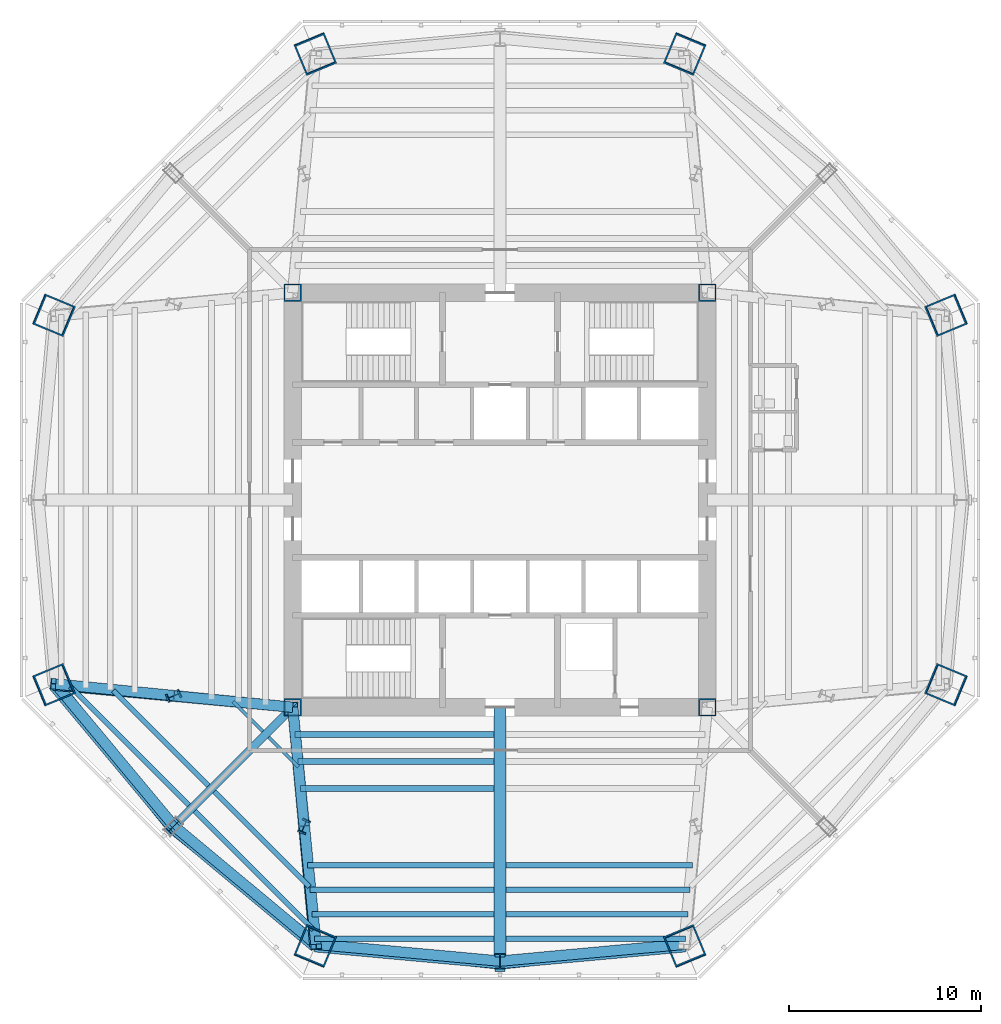
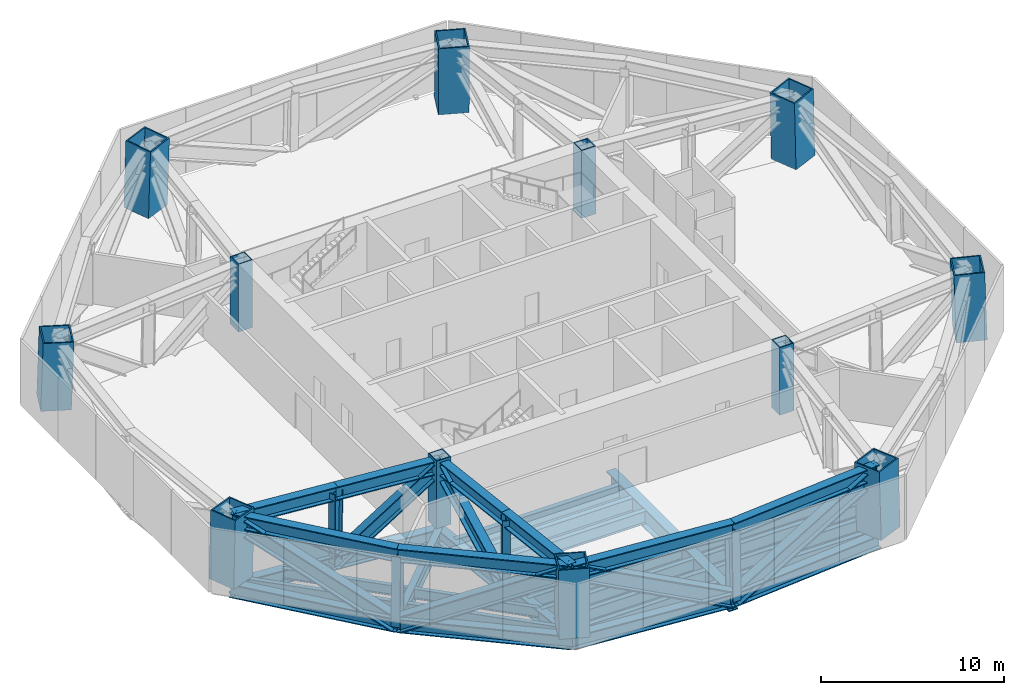
# One storey, part 1 of 10: 28 members, 19 beams, 12 columns.
"""IFC4 building model written with IfcOpenShell, lengths in metres."""

from ifc_helpers import new_model, si_unit, direction, frame, origin, origin_2d, place, context, subcontext, project, spatial, hollow_rectangle, i_section, extrude, source, transform, mapped, material, material_profile, profile_set, type_object, type_shapes, element, save


model = new_model("IFC4")

# Units and contexts
model_context = context("Model", 3, precision=1e-05, world=origin(), true_north=direction((0.0, 1.0)))
body_context = subcontext(model_context, "Body", "Model", "MODEL_VIEW")
ifc_project = project(units=[si_unit("LENGTHUNIT", "METRE"), si_unit("AREAUNIT", "SQUARE_METRE"), si_unit("VOLUMEUNIT", "CUBIC_METRE"), si_unit("PLANEANGLEUNIT", "RADIAN"), si_unit("MASSUNIT", "GRAM", prefix="KILO")], contexts=[model_context])

# Site, building, storey
site_placement = place(None, origin())
site = spatial("IfcSite", under=ifc_project, at=site_placement, CompositionType="ELEMENT")
building_placement = place(site_placement, origin())
building = spatial("IfcBuilding", under=site, at=building_placement, Name="Mashrafa Tower", CompositionType="ELEMENT")
storey_placement = place(building_placement, frame((0.0, 0.0, 108.89990234375)))
storey = spatial("IfcBuildingStorey", under=building, at=storey_placement, Name="L24", CompositionType="ELEMENT", Elevation=108.89990234375)

# Columns
ifc_material_1 = material(Name="Steel ASTM A572 Gr 50", Category="steel")
ifc_material_profile_1 = material_profile(ifc_material_1, hollow_rectangle(XDim=0.89990234375, YDim=0.89990234375, WallThickness=0.06005859375, at=origin_2d()), Name="BOX900X900X60")
ifc_profile_set_1 = profile_set([ifc_material_profile_1], Name="Steel ASTM A572 Gr 50")
column_type_1 = type_object("IfcColumnType", Name="Core corner column BOX900X900X60", PredefinedType="COLUMN", material=ifc_profile_set_1)
for number, where, z_axis, x_axis, name in (
    (1, (10.800048828125, 10.800048828125, 0.0), (0.0, 0.0, 1.0), (1.0, 0.0, 0.0), "Core corner column CC-NE L24"),
    (2, (-10.800048828125, 10.800048828125, 0.0), (0.0, 0.0, 1.0), (1.0, 0.0, 0.0), "Core corner column CC-NW L24"),
    (3, (-10.800048828125, -10.800048828125, 0.0), (0.0, 0.0, 1.0), (1.0, 0.0, 0.0), "Core corner column CC-SW L24"),
    (4, (10.800048828125, -10.800048828125, 0.0), (0.0, 0.0, 1.0), (1.0, 0.0, 0.0), "Core corner column CC-SE L24"),
):
    element("IfcColumn", number, at=place(storey_placement, frame(where, z_axis=z_axis, x_axis=x_axis)), inside=storey, type_object=column_type_1, Name=name, PredefinedType="COLUMN", context=body_context, shape_type="SweptSolid", body=[
        extrude(hollow_rectangle(XDim=0.89990234375, YDim=0.89990234375, WallThickness=0.06005859375, at=origin_2d()), origin(), (0.0, 0.0, 1.0), 4.5),
    ])
ifc_material_2 = material(Name="Steel ASTM A572 Gr 50", Category="steel")
ifc_material_profile_2 = material_profile(ifc_material_2, hollow_rectangle(XDim=1.699951171875, YDim=1.699951171875, WallThickness=0.080078125, at=origin_2d()), Name="BOX1700X1700X80")
ifc_profile_set_2 = profile_set([ifc_material_profile_2], Name="Steel ASTM A572 Gr 50")
column_type_2 = type_object("IfcColumnType", Name="Mega column CFST BOX1700X1700X80", PredefinedType="COLUMN", material=ifc_profile_set_2)
for number, where, z_axis, x_axis, name in (
    (5, (23.255859375, 9.6328125, 0.0), (-0.028252835569, -0.011713267721, 0.999532178893), (0.38297812142, -0.923757413239, 0.0), "Mega column MC1 L24"),
    (6, (9.6328125, 23.255859375, 0.0), (-0.011713267721, -0.028252835569, 0.999532178893), (0.923757413239, -0.38297812142, 0.0), "Mega column MC2 L24"),
    (7, (-9.6328125, 23.255859375, 0.0), (0.011713267721, -0.028252835569, 0.999532178893), (0.923757413239, 0.38297812142, 0.0), "Mega column MC3 L24"),
    (8, (-23.255859375, 9.6328125, 0.0), (0.028252835569, -0.011713267721, 0.999532178893), (0.38297812142, 0.923757413239, 0.0), "Mega column MC4 L24"),
    (9, (-23.255859375, -9.6328125, 0.0), (0.028252835569, 0.011713267721, 0.999532178893), (-0.38297812142, 0.923757413239, 0.0), "Mega column MC5 L24"),
    (10, (-9.6328125, -23.255859375, 0.0), (0.011713267721, 0.028252835569, 0.999532178893), (-0.923757413239, 0.38297812142, 0.0), "Mega column MC6 L24"),
    (11, (9.6328125, -23.255859375, 0.0), (-0.011713267721, 0.028252835569, 0.999532178893), (-0.923757413239, -0.38297812142, 0.0), "Mega column MC7 L24"),
    (12, (23.255859375, -9.6328125, 0.0), (-0.028252835569, 0.011713267721, 0.999532178893), (-0.38297812142, -0.923757413239, 0.0), "Mega column MC8 L24"),
):
    element("IfcColumn", number, at=place(storey_placement, frame(where, z_axis=z_axis, x_axis=x_axis)), inside=storey, type_object=column_type_2, Name=name, PredefinedType="COLUMN", context=body_context, shape_type="SweptSolid", body=[
        extrude(hollow_rectangle(XDim=1.699951171875, YDim=1.699951171875, WallThickness=0.080078125, at=origin_2d()), origin(), (0.0, 0.0, 1.0), 4.502197265625),
    ])

# Beams
ifc_material_3 = material(Name="Steel ASTM A572 Gr 50", Category="steel")
ifc_material_profile_3 = material_profile(ifc_material_3, i_section(OverallWidth=0.60009765625, OverallDepth=1.300048828125, WebThickness=0.028076171875, FlangeThickness=0.06494140625, at=origin_2d()), Name="H1300X600X28X65")
ifc_profile_set_3 = profile_set([ifc_material_profile_3], Name="Steel ASTM A572 Gr 50")
beam_type_1 = type_object("IfcBeamType", Name="Beam H1300X600X28X65", PredefinedType="BEAM", material=ifc_profile_set_3)
beam_1_placement = place(storey_placement, frame((0.0, -10.800048828125, -0.89990234375), z_axis=(0.0, -1.0, 0.0), x_axis=(1.0, 0.0, 0.0)))
element("IfcBeam", 13, at=beam_1_placement, inside=storey, type_object=beam_type_1, Name="Radial girder L24 084", PredefinedType="BEAM", context=body_context, shape_type="SweptSolid", body=[
    extrude(i_section(OverallWidth=0.60009765625, OverallDepth=1.300048828125, WebThickness=0.028076171875, FlangeThickness=0.06494140625, at=origin_2d()), origin(), (0.0, 0.0, 1.0), 13.341064453125),
])
ifc_material_4 = material(Name="Steel ASTM A992", Category="steel")
ifc_material_profile_4 = material_profile(ifc_material_4, i_section(OverallWidth=0.164794921875, OverallDepth=0.309814453125, WebThickness=0.005859375, FlangeThickness=0.009765625, FilletRadius=0.007568359375, at=origin_2d()), Name="W12X26")
ifc_profile_set_4 = profile_set([ifc_material_profile_4], Name="Steel ASTM A992")
beam_type_2 = type_object("IfcBeamType", Name="Beam W12X26", PredefinedType="BEAM", material=ifc_profile_set_4)
for number, where, z_axis, x_axis, name in (
    (14, (-12.35498046875, -12.065673828125, -0.40478515625), (-0.707162242717, 0.707051315306, 0.0), (-0.707051315306, -0.707162242717, 0.0), "Floor beam L24 020"),
    (15, (-10.509521484375, -13.911376953125, -0.40478515625), (-0.707051315306, 0.707162242717, 0.0), (-0.707162242717, -0.707051315306, 0.0), "Floor beam L24 026"),
):
    element("IfcBeam", number, at=place(storey_placement, frame(where, z_axis=z_axis, x_axis=x_axis)), inside=storey, type_object=beam_type_2, Name=name, PredefinedType="BEAM", context=body_context, shape_type="SweptSolid", body=[
        extrude(i_section(OverallWidth=0.164794921875, OverallDepth=0.309814453125, WebThickness=0.005859375, FlangeThickness=0.009765625, FilletRadius=0.007568359375, at=origin_2d()), origin(), (0.0, 0.0, 1.0), 2.200927734375),
    ])
ifc_material_5 = material(Name="Steel ASTM A992", Category="steel")
ifc_material_profile_5 = material_profile(ifc_material_5, i_section(OverallWidth=0.25390625, OverallDepth=0.67822265625, WebThickness=0.01171875, FlangeThickness=0.016357421875, FilletRadius=0.01513671875, at=origin_2d()), Name="W27X84")
ifc_profile_set_5 = profile_set([ifc_material_profile_5], Name="Steel ASTM A992")
beam_type_3 = type_object("IfcBeamType", Name="Beam W27X84", PredefinedType="BEAM", material=ifc_profile_set_5)
for number, where, z_axis, x_axis, name in (
    (16, (-15.183349609375, -14.89404296875, -0.589111328125), (-0.707106781187, 0.707106781187, 0.0), (-0.707106781187, -0.707106781187, 0.0), "Floor beam L24 013"),
    (17, (-9.926513671875, -20.15087890625, -0.589111328125), (-0.707106781187, 0.707106781187, 0.0), (-0.707106781187, -0.707106781187, 0.0), "Floor beam L24 029"),
):
    element("IfcBeam", number, at=place(storey_placement, frame(where, z_axis=z_axis, x_axis=x_axis)), inside=storey, type_object=beam_type_3, Name=name, PredefinedType="BEAM", context=body_context, shape_type="SweptSolid", body=[
        extrude(i_section(OverallWidth=0.25390625, OverallDepth=0.67822265625, WebThickness=0.01171875, FlangeThickness=0.016357421875, FilletRadius=0.01513671875, at=origin_2d()), origin(), (0.0, 0.0, 1.0), 7.025146484375),
    ])
ifc_material_6 = material(Name="Steel ASTM A992", Category="steel")
ifc_material_profile_6 = material_profile(ifc_material_6, i_section(OverallWidth=0.2666015625, OverallDepth=0.761962890625, WebThickness=0.014404296875, FlangeThickness=0.021484375, FilletRadius=0.0166015625, at=origin_2d()), Name="W30X116")
ifc_profile_set_6 = profile_set([ifc_material_profile_6], Name="Steel ASTM A992")
beam_type_4 = type_object("IfcBeamType", Name="Beam W30X116", PredefinedType="BEAM", material=ifc_profile_set_6)
for number, where, z_axis, x_axis, name in (
    (18, (-16.19921875, -15.909912109375, -0.630859375), (-0.707120719406, 0.707092842692, 0.0), (-0.707092842692, -0.707120719406, 0.0), "Floor beam L24 011"),
    (19, (-9.71728515625, -22.39208984375, -0.630859375), (-0.707092842692, 0.707120719406, 0.0), (-0.707120719406, -0.707092842692, 0.0), "Floor beam L24 032"),
):
    element("IfcBeam", number, at=place(storey_placement, frame(where, z_axis=z_axis, x_axis=x_axis)), inside=storey, type_object=beam_type_4, Name=name, PredefinedType="BEAM", context=body_context, shape_type="SweptSolid", body=[
        extrude(i_section(OverallWidth=0.2666015625, OverallDepth=0.761962890625, WebThickness=0.014404296875, FlangeThickness=0.021484375, FilletRadius=0.0166015625, at=origin_2d()), origin(), (0.0, 0.0, 1.0), 8.7578125),
    ])
ifc_material_7 = material(Name="Steel ASTM A992", Category="steel")
ifc_material_profile_7 = material_profile(ifc_material_7, i_section(OverallWidth=0.2919921875, OverallDepth=0.8408203125, WebThickness=0.0146484375, FlangeThickness=0.021728515625, FilletRadius=0.017333984375, at=origin_2d()), Name="W33X130")
ifc_profile_set_7 = profile_set([ifc_material_profile_7], Name="Steel ASTM A992")
beam_type_5 = type_object("IfcBeamType", Name="Beam W33X130", PredefinedType="BEAM", material=ifc_profile_set_7)
beam_2_placement = place(storey_placement, frame((-0.300048828125, -22.863525390625, -0.670166015625), z_axis=(-1.0, 0.0, 0.0), x_axis=(0.0, -1.0, 0.0)))
element("IfcBeam", 20, at=beam_2_placement, inside=storey, type_object=beam_type_5, Name="Floor beam L24 034", PredefinedType="BEAM", context=body_context, shape_type="SweptSolid", body=[
    extrude(i_section(OverallWidth=0.2919921875, OverallDepth=0.8408203125, WebThickness=0.0146484375, FlangeThickness=0.021728515625, FilletRadius=0.017333984375, at=origin_2d()), origin(), (0.0, 0.0, 1.0), 9.373046875),
])
beam_3_placement = place(storey_placement, frame((-0.300048828125, -21.586181640625, -0.670166015625), z_axis=(-1.0, 0.0, 0.0), x_axis=(0.0, -1.0, 0.0)))
element("IfcBeam", 21, at=beam_3_placement, inside=storey, type_object=beam_type_5, Name="Floor beam L24 035", PredefinedType="BEAM", context=body_context, shape_type="SweptSolid", body=[
    extrude(i_section(OverallWidth=0.2919921875, OverallDepth=0.8408203125, WebThickness=0.0146484375, FlangeThickness=0.021728515625, FilletRadius=0.017333984375, at=origin_2d()), origin(), (0.0, 0.0, 1.0), 9.492431640625),
])
beam_4_placement = place(storey_placement, frame((-0.300048828125, -20.30859375, -0.670166015625), z_axis=(-1.0, 0.0, 0.0), x_axis=(0.0, -1.0, 0.0)))
element("IfcBeam", 22, at=beam_4_placement, inside=storey, type_object=beam_type_5, Name="Floor beam L24 036", PredefinedType="BEAM", context=body_context, shape_type="SweptSolid", body=[
    extrude(i_section(OverallWidth=0.2919921875, OverallDepth=0.8408203125, WebThickness=0.0146484375, FlangeThickness=0.021728515625, FilletRadius=0.017333984375, at=origin_2d()), origin(), (0.0, 0.0, 1.0), 9.61181640625),
])
beam_5_placement = place(storey_placement, frame((9.673095703125, -22.863525390625, -0.670166015625), z_axis=(-1.0, 0.0, 0.0), x_axis=(0.0, -1.0, 0.0)))
element("IfcBeam", 23, at=beam_5_placement, inside=storey, type_object=beam_type_5, Name="Floor beam L24 048", PredefinedType="BEAM", context=body_context, shape_type="SweptSolid", body=[
    extrude(i_section(OverallWidth=0.2919921875, OverallDepth=0.8408203125, WebThickness=0.0146484375, FlangeThickness=0.021728515625, FilletRadius=0.017333984375, at=origin_2d()), origin(), (0.0, 0.0, 1.0), 9.373046875),
])
beam_6_placement = place(storey_placement, frame((9.79248046875, -21.586181640625, -0.670166015625), z_axis=(-1.0, 0.0, 0.0), x_axis=(0.0, -1.0, 0.0)))
element("IfcBeam", 24, at=beam_6_placement, inside=storey, type_object=beam_type_5, Name="Floor beam L24 050", PredefinedType="BEAM", context=body_context, shape_type="SweptSolid", body=[
    extrude(i_section(OverallWidth=0.2919921875, OverallDepth=0.8408203125, WebThickness=0.0146484375, FlangeThickness=0.021728515625, FilletRadius=0.017333984375, at=origin_2d()), origin(), (0.0, 0.0, 1.0), 9.492431640625),
])
beam_7_placement = place(storey_placement, frame((9.911865234375, -20.30859375, -0.670166015625), z_axis=(-1.0, 0.0, 0.0), x_axis=(0.0, -1.0, 0.0)))
element("IfcBeam", 25, at=beam_7_placement, inside=storey, type_object=beam_type_5, Name="Floor beam L24 051", PredefinedType="BEAM", context=body_context, shape_type="SweptSolid", body=[
    extrude(i_section(OverallWidth=0.2919921875, OverallDepth=0.8408203125, WebThickness=0.0146484375, FlangeThickness=0.021728515625, FilletRadius=0.017333984375, at=origin_2d()), origin(), (0.0, 0.0, 1.0), 9.61181640625),
])
ifc_material_8 = material(Name="Steel ASTM A992", Category="steel")
ifc_material_profile_8 = material_profile(ifc_material_8, i_section(OverallWidth=0.2919921875, OverallDepth=0.845703125, WebThickness=0.015380859375, FlangeThickness=0.0244140625, FilletRadius=0.017333984375, at=origin_2d()), Name="W33X141")
ifc_profile_set_8 = profile_set([ifc_material_profile_8], Name="Steel ASTM A992")
beam_type_6 = type_object("IfcBeamType", Name="Beam W33X141", PredefinedType="BEAM", material=ifc_profile_set_8)
beam_8_placement = place(storey_placement, frame((-0.300048828125, -19.031005859375, -0.6728515625), z_axis=(-1.0, 0.0, 0.0), x_axis=(0.0, -1.0, 0.0)))
element("IfcBeam", 26, at=beam_8_placement, inside=storey, type_object=beam_type_6, Name="Floor beam L24 037", PredefinedType="BEAM", context=body_context, shape_type="SweptSolid", body=[
    extrude(i_section(OverallWidth=0.2919921875, OverallDepth=0.845703125, WebThickness=0.015380859375, FlangeThickness=0.0244140625, FilletRadius=0.017333984375, at=origin_2d()), origin(), (0.0, 0.0, 1.0), 9.73095703125),
])
beam_9_placement = place(storey_placement, frame((-0.300048828125, -15.031005859375, -0.6728515625), z_axis=(-1.0, 0.0, 0.0), x_axis=(0.0, -1.0, 0.0)))
element("IfcBeam", 27, at=beam_9_placement, inside=storey, type_object=beam_type_6, Name="Floor beam L24 038", PredefinedType="BEAM", context=body_context, shape_type="SweptSolid", body=[
    extrude(i_section(OverallWidth=0.2919921875, OverallDepth=0.845703125, WebThickness=0.015380859375, FlangeThickness=0.0244140625, FilletRadius=0.017333984375, at=origin_2d()), origin(), (0.0, 0.0, 1.0), 10.104736328125),
])
beam_10_placement = place(storey_placement, frame((10.031005859375, -19.031005859375, -0.6728515625), z_axis=(-1.0, 0.0, 0.0), x_axis=(0.0, -1.0, 0.0)))
element("IfcBeam", 28, at=beam_10_placement, inside=storey, type_object=beam_type_6, Name="Floor beam L24 053", PredefinedType="BEAM", context=body_context, shape_type="SweptSolid", body=[
    extrude(i_section(OverallWidth=0.2919921875, OverallDepth=0.845703125, WebThickness=0.015380859375, FlangeThickness=0.0244140625, FilletRadius=0.017333984375, at=origin_2d()), origin(), (0.0, 0.0, 1.0), 9.73095703125),
])
ifc_material_9 = material(Name="Steel ASTM A992", Category="steel")
ifc_material_profile_9 = material_profile(ifc_material_9, i_section(OverallWidth=0.3046875, OverallDepth=0.911865234375, WebThickness=0.015869140625, FlangeThickness=0.02392578125, FilletRadius=0.01904296875, at=origin_2d()), Name="W36X150")
ifc_profile_set_9 = profile_set([ifc_material_profile_9], Name="Steel ASTM A992")
beam_type_7 = type_object("IfcBeamType", Name="Beam W36X150", PredefinedType="BEAM", material=ifc_profile_set_9)
beam_11_placement = place(storey_placement, frame((-0.300048828125, -13.62060546875, -0.705810546875), z_axis=(-1.0, 0.0, 0.0), x_axis=(0.0, -1.0, 0.0)))
element("IfcBeam", 29, at=beam_11_placement, inside=storey, type_object=beam_type_7, Name="Floor beam L24 039", PredefinedType="BEAM", context=body_context, shape_type="SweptSolid", body=[
    extrude(i_section(OverallWidth=0.3046875, OverallDepth=0.911865234375, WebThickness=0.015869140625, FlangeThickness=0.02392578125, FilletRadius=0.01904296875, at=origin_2d()), origin(), (0.0, 0.0, 1.0), 10.236572265625),
])
beam_12_placement = place(storey_placement, frame((-0.300048828125, -12.210205078125, -0.705810546875), z_axis=(-1.0, 0.0, 0.0), x_axis=(0.0, -1.0, 0.0)))
element("IfcBeam", 30, at=beam_12_placement, inside=storey, type_object=beam_type_7, Name="Floor beam L24 040", PredefinedType="BEAM", context=body_context, shape_type="SweptSolid", body=[
    extrude(i_section(OverallWidth=0.3046875, OverallDepth=0.911865234375, WebThickness=0.015869140625, FlangeThickness=0.02392578125, FilletRadius=0.01904296875, at=origin_2d()), origin(), (0.0, 0.0, 1.0), 10.3681640625),
])
ifc_material_10 = material(Name="Steel ASTM A992", Category="steel")
ifc_material_profile_10 = material_profile(ifc_material_10, i_section(OverallWidth=0.408935546875, OverallDepth=1.04150390625, WebThickness=0.031005859375, FlangeThickness=0.055908203125, FilletRadius=0.020263671875, at=origin_2d()), Name="W40X397")
ifc_profile_set_10 = profile_set([ifc_material_profile_10], Name="Steel ASTM A992")
beam_type_8 = type_object("IfcBeamType", Name="Beam W40X397", PredefinedType="BEAM", material=ifc_profile_set_10)
beam_13_placement = place(storey_placement, frame((-10.800048828125, -10.800048828125, -0.7705078125), z_axis=(-0.707106781187, -0.707106781187, 0.0), x_axis=(0.707106781187, -0.707106781187, 0.0)))
element("IfcBeam", 31, at=beam_13_placement, inside=storey, type_object=beam_type_8, Name="Radial girder L24 081", PredefinedType="BEAM", context=body_context, shape_type="SweptSolid", body=[
    extrude(i_section(OverallWidth=0.408935546875, OverallDepth=1.04150390625, WebThickness=0.031005859375, FlangeThickness=0.055908203125, FilletRadius=0.020263671875, at=origin_2d()), origin(), (0.0, 0.0, 1.0), 8.867431640625),
])

# Members
ifc_material_11 = material(Name="Steel ASTM A572 Gr 50", Category="steel")
ifc_material_profile_11 = material_profile(ifc_material_11, i_section(OverallWidth=0.550048828125, OverallDepth=0.89990234375, WebThickness=0.034912109375, FlangeThickness=0.06005859375, at=origin_2d()), Name="H900X550X35X60")
ifc_profile_set_11 = profile_set([ifc_material_profile_11], Name="Steel ASTM A572 Gr 50")
member_type_1 = type_object("IfcMemberType", Name="Belt truss chord H900X550X35X60", PredefinedType="CHORD", material=ifc_profile_set_11)
shared_shape_1 = source(origin(), body_context, "Body", "SweptSolid", [
    extrude(i_section(OverallWidth=0.550048828125, OverallDepth=0.89990234375, WebThickness=0.034912109375, FlangeThickness=0.06005859375, at=origin_2d()), origin(), (0.0, 0.0, 1.0), 9.680908203125),
])
for number, where, z_axis, x_axis, name in (
    (32, (-23.275634765625, -9.64111328125, -0.699951171875), (0.6400479611, -0.768334957874, 0.0), (0.768334957874, 0.6400479611, 0.0), "Belt truss bottom chord south-west face L24 right"),
    (33, (-9.64111328125, -23.275634765625, -0.699951171875), (-0.768334957874, 0.6400479611, 0.0), (-0.6400479611, -0.768334957874, 0.0), "Belt truss bottom chord south-west face L24 left"),
    (34, (-9.64111328125, -23.275634765625, -0.699951171875), (0.995877274504, -0.090710826953, 0.0), (0.090710826953, 0.995877274504, 0.0), "Belt truss bottom chord south face L24 right"),
    (35, (9.64111328125, -23.275634765625, -0.699951171875), (-0.995877274504, -0.090710826953, 0.0), (0.090710826953, -0.995877274504, 0.0), "Belt truss bottom chord south face L24 left"),
):
    element("IfcMember", number, at=place(storey_placement, frame(where, z_axis=z_axis, x_axis=x_axis)), inside=storey, type_object=member_type_1, Name=name, PredefinedType="CHORD", context=body_context, shape_type="MappedRepresentation", body=[
        mapped(shared_shape_1, transform((0.0, 0.0, 0.0))),
    ])
shared_shape_2 = source(origin(), body_context, "Body", "SweptSolid", [
    extrude(i_section(OverallWidth=0.550048828125, OverallDepth=0.89990234375, WebThickness=0.034912109375, FlangeThickness=0.06005859375, at=origin_2d()), origin(), (0.0, 0.0, 1.0), 9.62744140625),
])
type_shapes(member_type_1, [shared_shape_1, shared_shape_2])
for number, where, z_axis, x_axis, name in (
    (36, (-23.14599609375, -9.58740234375, 3.885009765625), (0.639672926915, -0.768647218542, 0.0), (0.768647218542, 0.639672926915, 0.0), "Belt truss top chord south-west face L24 right"),
    (37, (-9.58740234375, -23.14599609375, 3.885009765625), (-0.768647218542, 0.639672926915, 0.0), (-0.639672926915, -0.768647218542, 0.0), "Belt truss top chord south-west face L24 left"),
    (38, (-9.58740234375, -23.14599609375, 3.885009765625), (0.995831241369, -0.091214794378, 0.0), (0.091214794378, 0.995831241369, 0.0), "Belt truss top chord south face L24 right"),
    (39, (9.58740234375, -23.14599609375, 3.885009765625), (-0.995831241369, -0.091214794378, 0.0), (0.091214794378, -0.995831241369, 0.0), "Belt truss top chord south face L24 left"),
):
    element("IfcMember", number, at=place(storey_placement, frame(where, z_axis=z_axis, x_axis=x_axis)), inside=storey, type_object=member_type_1, Name=name, PredefinedType="CHORD", context=body_context, shape_type="MappedRepresentation", body=[
        mapped(shared_shape_2, transform((0.0, 0.0, 0.0))),
    ])
ifc_material_12 = material(Name="Steel ASTM A572 Gr 50", Category="steel")
ifc_material_profile_12 = material_profile(ifc_material_12, i_section(OverallWidth=0.5, OverallDepth=0.800048828125, WebThickness=0.031982421875, FlangeThickness=0.050048828125, at=origin_2d()), Name="H800X500X32X50")
ifc_profile_set_12 = profile_set([ifc_material_profile_12], Name="Steel ASTM A572 Gr 50")
member_type_2 = type_object("IfcMemberType", Name="Belt truss post H800X500X32X50", PredefinedType="POST", material=ifc_profile_set_12)
shared_shape_3 = source(origin(), body_context, "Body", "SweptSolid", [
    extrude(i_section(OverallWidth=0.5, OverallDepth=0.800048828125, WebThickness=0.031982421875, FlangeThickness=0.050048828125, at=origin_2d()), origin(), (0.0, 0.0, 1.0), 4.5869140625),
])
type_shapes(member_type_2, [shared_shape_3])
for number, where, z_axis, x_axis, name in (
    (40, (-17.079345703125, -17.079345703125, -0.699951171875), (0.020013278491, 0.020013278491, 0.999599388439), (-0.707106781187, 0.707106781187, 0.0), "Belt truss post south-west face L24"),
    (41, (0.0, -24.15380859375, -0.699951171875), (0.0, 0.028263464856, 0.99960050848), (-1.0, 0.0, 0.0), "Belt truss post south face L24"),
):
    element("IfcMember", number, at=place(storey_placement, frame(where, z_axis=z_axis, x_axis=x_axis)), inside=storey, type_object=member_type_2, Name=name, PredefinedType="POST", context=body_context, shape_type="MappedRepresentation", body=[
        mapped(shared_shape_3, transform((0.0, 0.0, 0.0))),
    ])
ifc_material_13 = material(Name="Steel ASTM A572 Gr 50", Category="steel")
ifc_material_profile_13 = material_profile(ifc_material_13, i_section(OverallWidth=0.60009765625, OverallDepth=1.0, WebThickness=0.0400390625, FlangeThickness=0.070068359375, at=origin_2d()), Name="H1000X600X40X70")
ifc_profile_set_13 = profile_set([ifc_material_profile_13], Name="Steel ASTM A572 Gr 50")
member_type_3 = type_object("IfcMemberType", Name="Belt truss diagonal H1000X600X40X70", PredefinedType="BRACE", material=ifc_profile_set_13)
shared_shape_4 = source(origin(), body_context, "Body", "SweptSolid", [
    extrude(i_section(OverallWidth=0.60009765625, OverallDepth=1.0, WebThickness=0.0400390625, FlangeThickness=0.070068359375, at=origin_2d()), origin(), (0.0, 0.0, 1.0), 10.675048828125),
])
type_shapes(member_type_3, [shared_shape_4])
for number, where, z_axis, x_axis, name in (
    (42, (-17.079345703125, -17.079345703125, -0.699951171875), (-0.568305224178, 0.701822303286, 0.429505095177), (-0.777156398059, -0.629307502701, 0.0), "Belt truss diagonal south-west face L24 right"),
    (43, (-17.079345703125, -17.079345703125, -0.699951171875), (0.701822303286, -0.568305224178, 0.429505095177), (0.629307502701, 0.777156398059, 0.0), "Belt truss diagonal south-west face L24 left"),
    (44, (0.0, -24.15380859375, -0.699951171875), (-0.898116481993, 0.094408577481, 0.429504138829), (-0.104542407277, -0.994520429695, 0.0), "Belt truss diagonal south face L24 right"),
    (45, (0.0, -24.15380859375, -0.699951171875), (0.898116481993, 0.094408577481, 0.429504138829), (-0.104542407277, 0.994520429695, 0.0), "Belt truss diagonal south face L24 left"),
):
    element("IfcMember", number, at=place(storey_placement, frame(where, z_axis=z_axis, x_axis=x_axis)), inside=storey, type_object=member_type_3, Name=name, PredefinedType="BRACE", context=body_context, shape_type="MappedRepresentation", body=[
        mapped(shared_shape_4, transform((0.0, 0.0, 0.0))),
    ])
ifc_material_14 = material(Name="Steel ASTM A572 Gr 50", Category="steel")
ifc_material_profile_14 = material_profile(ifc_material_14, i_section(OverallWidth=0.550048828125, OverallDepth=0.89990234375, WebThickness=0.034912109375, FlangeThickness=0.06005859375, at=origin_2d()), Name="H900X550X35X60")
ifc_profile_set_14 = profile_set([ifc_material_profile_14], Name="Steel ASTM A572 Gr 50")
member_type_4 = type_object("IfcMemberType", Name="Outrigger chord H900X550X35X60", PredefinedType="CHORD", material=ifc_profile_set_14)
shared_shape_5 = source(origin(), body_context, "Body", "SweptSolid", [
    extrude(i_section(OverallWidth=0.550048828125, OverallDepth=0.89990234375, WebThickness=0.034912109375, FlangeThickness=0.06005859375, at=origin_2d()), origin(), (0.0, 0.0, 1.0), 6.2646484375),
])
for number, where, z_axis, x_axis, name in (
    (46, (-10.800048828125, -10.800048828125, -0.699951171875), (-0.995711073269, 0.092517341994, 0.0), (-0.092517341994, -0.995711073269, 0.0), "Outrigger bottom chord MC5 L24 core end"),
    (47, (-17.037841796875, -10.220458984375, -0.699951171875), (-0.995714662569, 0.092478704277, 0.0), (-0.092478704277, -0.995714662569, 0.0), "Outrigger bottom chord MC5 L24 column end"),
    (48, (-10.800048828125, -10.800048828125, -0.699951171875), (0.092517341994, -0.995711073269, 0.0), (0.995711073269, 0.092517341994, 0.0), "Outrigger bottom chord MC6 L24 core end"),
    (49, (-10.220458984375, -17.037841796875, -0.699951171875), (0.092478704277, -0.995714662569, 0.0), (0.995714662569, 0.092478704277, 0.0), "Outrigger bottom chord MC6 L24 column end"),
):
    element("IfcMember", number, at=place(storey_placement, frame(where, z_axis=z_axis, x_axis=x_axis)), inside=storey, type_object=member_type_4, Name=name, PredefinedType="CHORD", context=body_context, shape_type="MappedRepresentation", body=[
        mapped(shared_shape_5, transform((0.0, 0.0, 0.0))),
    ])
shared_shape_6 = source(origin(), body_context, "Body", "SweptSolid", [
    extrude(i_section(OverallWidth=0.550048828125, OverallDepth=0.89990234375, WebThickness=0.034912109375, FlangeThickness=0.06005859375, at=origin_2d()), origin(), (0.0, 0.0, 1.0), 6.20263671875),
])
for number, where, z_axis, x_axis, name in (
    (50, (-10.800048828125, -10.800048828125, 3.885009765625), (-0.995208719132, 0.09777323439, 0.0), (-0.09777323439, -0.995208719132, 0.0), "Outrigger top chord MC5 L24 core end"),
    (51, (-10.800048828125, -10.800048828125, 3.885009765625), (0.09777323439, -0.995208719132, 0.0), (0.995208719132, 0.09777323439, 0.0), "Outrigger top chord MC6 L24 core end"),
):
    element("IfcMember", number, at=place(storey_placement, frame(where, z_axis=z_axis, x_axis=x_axis)), inside=storey, type_object=member_type_4, Name=name, PredefinedType="CHORD", context=body_context, shape_type="MappedRepresentation", body=[
        mapped(shared_shape_6, transform((0.0, 0.0, 0.0))),
    ])
shared_shape_7 = source(origin(), body_context, "Body", "SweptSolid", [
    extrude(i_section(OverallWidth=0.550048828125, OverallDepth=0.89990234375, WebThickness=0.034912109375, FlangeThickness=0.06005859375, at=origin_2d()), origin(), (0.0, 0.0, 1.0), 6.202880859375),
])
type_shapes(member_type_4, [shared_shape_5, shared_shape_6, shared_shape_7])
for number, where, z_axis, x_axis, name in (
    (52, (-16.972900390625, -10.193603515625, 3.885009765625), (-0.995212924374, 0.097730420851, 0.0), (-0.097730420851, -0.995212924374, 0.0), "Outrigger top chord MC5 L24 column end"),
    (53, (-10.193603515625, -16.972900390625, 3.885009765625), (0.097730420851, -0.995212924374, 0.0), (0.995212924374, 0.097730420851, 0.0), "Outrigger top chord MC6 L24 column end"),
):
    element("IfcMember", number, at=place(storey_placement, frame(where, z_axis=z_axis, x_axis=x_axis)), inside=storey, type_object=member_type_4, Name=name, PredefinedType="CHORD", context=body_context, shape_type="MappedRepresentation", body=[
        mapped(shared_shape_7, transform((0.0, 0.0, 0.0))),
    ])
ifc_material_15 = material(Name="Steel ASTM A572 Gr 50", Category="steel")
ifc_material_profile_15 = material_profile(ifc_material_15, i_section(OverallWidth=0.449951171875, OverallDepth=0.699951171875, WebThickness=0.028076171875, FlangeThickness=0.044921875, at=origin_2d()), Name="H700X450X28X45")
ifc_profile_set_15 = profile_set([ifc_material_profile_15], Name="Steel ASTM A572 Gr 50")
member_type_5 = type_object("IfcMemberType", Name="Outrigger post H700X450X28X45", PredefinedType="POST", material=ifc_profile_set_15)
shared_shape_8 = source(origin(), body_context, "Body", "SweptSolid", [
    extrude(i_section(OverallWidth=0.449951171875, OverallDepth=0.699951171875, WebThickness=0.028076171875, FlangeThickness=0.044921875, at=origin_2d()), origin(), (0.0, 0.0, 1.0), 4.58544921875),
])
type_shapes(member_type_5, [shared_shape_8])
for number, where, z_axis, x_axis, name in (
    (54, (-17.037841796875, -10.220458984375, -0.699951171875), (0.0141623408, 0.005856607098, 0.999882557232), (-0.382147219086, 0.924101457062, 0.0), "Outrigger post MC5 L24"),
    (55, (-10.220458984375, -17.037841796875, -0.699951171875), (0.005856607098, 0.0141623408, 0.999882557232), (-0.924101457062, 0.382147219086, 0.0), "Outrigger post MC6 L24"),
):
    element("IfcMember", number, at=place(storey_placement, frame(where, z_axis=z_axis, x_axis=x_axis)), inside=storey, type_object=member_type_5, Name=name, PredefinedType="POST", context=body_context, shape_type="MappedRepresentation", body=[
        mapped(shared_shape_8, transform((0.0, 0.0, 0.0))),
    ])
ifc_material_16 = material(Name="Steel ASTM A572 Gr 50", Category="steel")
ifc_material_profile_16 = material_profile(ifc_material_16, i_section(OverallWidth=0.550048828125, OverallDepth=0.89990234375, WebThickness=0.034912109375, FlangeThickness=0.06005859375, at=origin_2d()), Name="H900X550X35X60")
ifc_profile_set_16 = profile_set([ifc_material_profile_16], Name="Steel ASTM A572 Gr 50")
member_type_6 = type_object("IfcMemberType", Name="Outrigger diagonal H900X550X35X60", PredefinedType="BRACE", material=ifc_profile_set_16)
shared_shape_9 = source(origin(), body_context, "Body", "SweptSolid", [
    extrude(i_section(OverallWidth=0.550048828125, OverallDepth=0.89990234375, WebThickness=0.034912109375, FlangeThickness=0.06005859375, at=origin_2d()), origin(), (0.0, 0.0, 1.0), 7.76318359375),
])
for number, where, z_axis, x_axis, name in (
    (56, (-17.037841796875, -10.220458984375, -0.699951171875), (0.803504103128, -0.074658267743, 0.590599102026), (0.092517341994, 0.995711073269, 0.0), "Outrigger diagonal MC5 L24 core end"),
    (57, (-10.220458984375, -17.037841796875, -0.699951171875), (-0.074658267743, 0.803504103128, 0.590599102026), (-0.995711073269, -0.092517341994, 0.0), "Outrigger diagonal MC6 L24 core end"),
):
    element("IfcMember", number, at=place(storey_placement, frame(where, z_axis=z_axis, x_axis=x_axis)), inside=storey, type_object=member_type_6, Name=name, PredefinedType="BRACE", context=body_context, shape_type="MappedRepresentation", body=[
        mapped(shared_shape_9, transform((0.0, 0.0, 0.0))),
    ])
shared_shape_10 = source(origin(), body_context, "Body", "SweptSolid", [
    extrude(i_section(OverallWidth=0.550048828125, OverallDepth=0.89990234375, WebThickness=0.034912109375, FlangeThickness=0.06005859375, at=origin_2d()), origin(), (0.0, 0.0, 1.0), 7.66357421875),
])
type_shapes(member_type_6, [shared_shape_9, shared_shape_10])
for number, where, z_axis, x_axis, name in (
    (58, (-17.037841796875, -10.220458984375, -0.699951171875), (-0.797025014387, 0.082604654954, 0.598270505224), (-0.103089045776, -0.994672131228, 0.0), "Outrigger diagonal MC5 L24 column end"),
    (59, (-10.220458984375, -17.037841796875, -0.699951171875), (0.082604654954, -0.797025014387, 0.598270505224), (0.994672131228, 0.103089045776, 0.0), "Outrigger diagonal MC6 L24 column end"),
):
    element("IfcMember", number, at=place(storey_placement, frame(where, z_axis=z_axis, x_axis=x_axis)), inside=storey, type_object=member_type_6, Name=name, PredefinedType="BRACE", context=body_context, shape_type="MappedRepresentation", body=[
        mapped(shared_shape_10, transform((0.0, 0.0, 0.0))),
    ])

save(model, "model.ifc")
